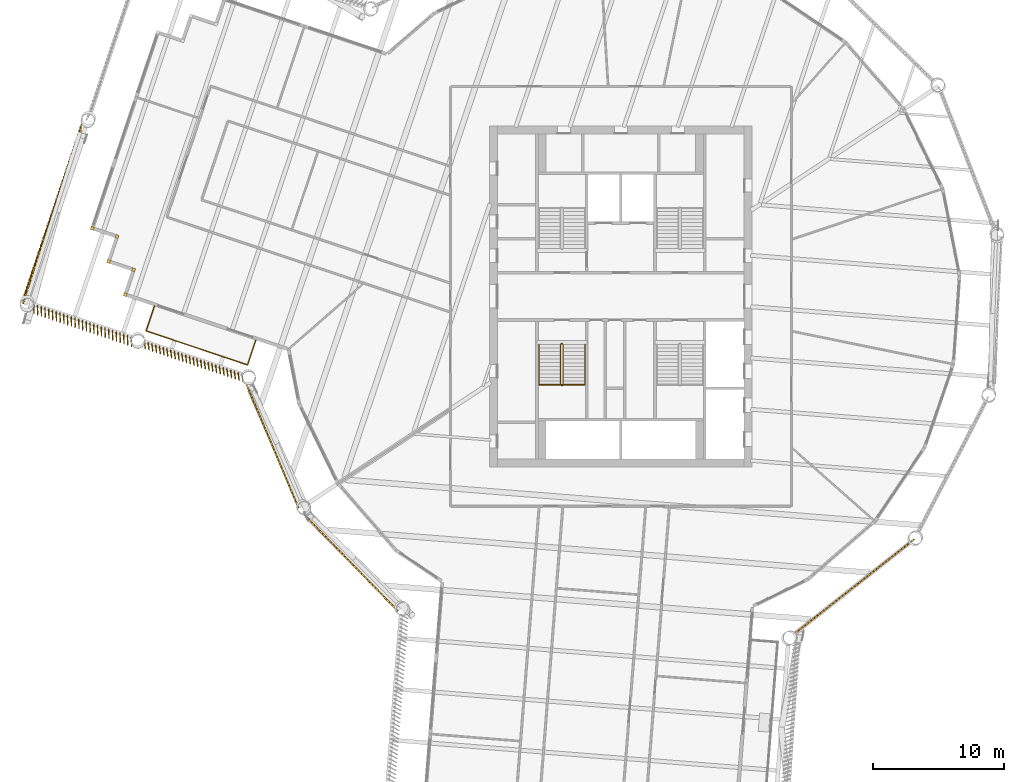
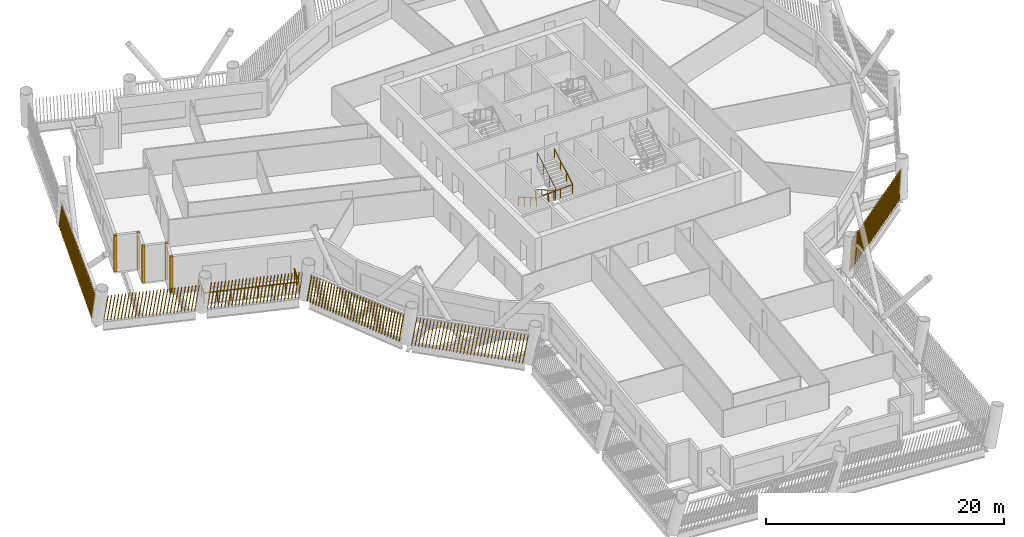
# One storey, part 18 of 21: 11 shading devices, 3 railings.
"""IFC4 building model written with IfcOpenShell, lengths in metres."""

from ifc_helpers import new_model, si_unit, direction, frame, frame_2d, origin, origin_2d, place, context, subcontext, project, spatial, rectangle, circle, composite_profile, extrude, material, type_object, element, save


model = new_model("IFC4")

# Units and contexts
model_context = context("Model", 3, precision=1e-05, world=origin(), true_north=direction((0.0, 1.0)))
body_context = subcontext(model_context, "Body", "Model", "MODEL_VIEW")
ifc_project = project(units=[si_unit("LENGTHUNIT", "METRE"), si_unit("AREAUNIT", "SQUARE_METRE"), si_unit("VOLUMEUNIT", "CUBIC_METRE"), si_unit("PLANEANGLEUNIT", "RADIAN"), si_unit("MASSUNIT", "GRAM", prefix="KILO")], contexts=[model_context])

# Site, building, storey
site_placement = place(None, origin())
site = spatial("IfcSite", under=ifc_project, at=site_placement, CompositionType="ELEMENT")
building_placement = place(site_placement, origin())
building = spatial("IfcBuilding", under=site, at=building_placement, Name="Tarsis Ring Headquarters", CompositionType="ELEMENT")
storey_placement = place(building_placement, frame((0.0, 0.0, 208.199951171875)))
storey = spatial("IfcBuildingStorey", under=building, at=storey_placement, Name="L48", CompositionType="ELEMENT", Elevation=208.199951171875)

# Railings
ifc_material_1 = material(Name="Stainless steel guard", Category="steel")
railing_type_1 = type_object("IfcRailingType", Name="Balcony balustrade with mesh infill 1100", PredefinedType="BALUSTRADE", material=ifc_material_1)
railing_1_placement = place(storey_placement, frame((-35.57666015625, -0.73779296875, 0.0)))
element("IfcRailing", 1, at=railing_1_placement, inside=storey, type_object=railing_type_1, Name="Balcony balustrade L48-01", PredefinedType="BALUSTRADE", context=body_context, shape_type="SweptSolid", body=[
    extrude(circle(Radius=0.030029296875, at=origin_2d()), frame((0.0, 0.0, 1.070068359375), z_axis=(-0.317618992501, -0.948218421885, 0.0), x_axis=(0.948218421885, -0.317618992501, 0.0)), (0.0, 0.0, 1.0), 2.0),
    extrude(circle(Radius=0.030029296875, at=origin_2d()), frame((-0.63525390625, -1.896484375, 1.070068359375), z_axis=(0.948213211756, -0.317634546375, 0.0), x_axis=(0.317634546375, 0.948213211756, 0.0)), (0.0, 0.0, 1.0), 8.171875),
    extrude(circle(Radius=0.030029296875, at=origin_2d()), frame((7.113525390625, -4.4921875, 1.070068359375), z_axis=(0.317618992501, 0.948218421885, 0.0), x_axis=(-0.948218421885, 0.317618992501, 0.0)), (0.0, 0.0, 1.0), 2.0),
    extrude(circle(Radius=0.02490234375, at=origin_2d()), origin(), (0.0, 0.0, 1.0), 1.0400390625),
    extrude(circle(Radius=0.02490234375, at=origin_2d()), frame((-0.317626953125, -0.9482421875, 0.0)), (0.0, 0.0, 1.0), 1.0400390625),
    extrude(circle(Radius=0.02490234375, at=origin_2d()), frame((-0.63525390625, -1.896484375, 0.0)), (0.0, 0.0, 1.0), 1.0400390625),
    extrude(circle(Radius=0.02490234375, at=origin_2d()), frame((0.4716796875, -2.267333984375, 0.0)), (0.0, 0.0, 1.0), 1.0400390625),
    extrude(circle(Radius=0.02490234375, at=origin_2d()), frame((1.57861328125, -2.63818359375, 0.0)), (0.0, 0.0, 1.0), 1.0400390625),
    extrude(circle(Radius=0.02490234375, at=origin_2d()), frame((2.685546875, -3.009033203125, 0.0)), (0.0, 0.0, 1.0), 1.0400390625),
    extrude(circle(Radius=0.02490234375, at=origin_2d()), frame((3.792724609375, -3.379638671875, 0.0)), (0.0, 0.0, 1.0), 1.0400390625),
    extrude(circle(Radius=0.02490234375, at=origin_2d()), frame((4.899658203125, -3.75048828125, 0.0)), (0.0, 0.0, 1.0), 1.0400390625),
    extrude(circle(Radius=0.02490234375, at=origin_2d()), frame((6.006591796875, -4.121337890625, 0.0)), (0.0, 0.0, 1.0), 1.0400390625),
    extrude(circle(Radius=0.02490234375, at=origin_2d()), frame((7.113525390625, -4.4921875, 0.0)), (0.0, 0.0, 1.0), 1.0400390625),
    extrude(circle(Radius=0.02490234375, at=origin_2d()), frame((7.43115234375, -3.5439453125, 0.0)), (0.0, 0.0, 1.0), 1.0400390625),
    extrude(circle(Radius=0.02490234375, at=origin_2d()), frame((7.748779296875, -2.595703125, 0.0)), (0.0, 0.0, 1.0), 1.0400390625),
])
ifc_material_2 = material(Name="Steel S355", Category="steel")
railing_type_2 = type_object("IfcRailingType", Name="Core stair guard 1100", PredefinedType="GUARDRAIL", material=ifc_material_2)
railing_2_placement = place(storey_placement, frame((-4.4599609375, -3.610107421875, 0.0)))
element("IfcRailing", 2, at=railing_2_placement, inside=storey, type_object=railing_type_2, Name="L48 ST3 stair guard 1", PredefinedType="GUARDRAIL", context=body_context, shape_type="SweptSolid", body=[
    extrude(circle(Radius=0.02392578125, at=origin_2d()), frame((0.0, 0.0, 1.076171875), z_axis=(-1.0, 0.0, 0.0), x_axis=(0.0, -1.0, 0.0)), (0.0, 0.0, 1.0), 0.080078125),
    extrude(circle(Radius=0.02392578125, at=origin_2d()), frame((-0.080078125, 0.0, 1.076171875), z_axis=(-0.282336740067, -0.280959487676, 0.917250092119), x_axis=(0.705375805398, -0.708833529934, 0.0)), (0.0, 0.0, 1.0), 0.17724609375),
    extrude(circle(Radius=0.02392578125, at=origin_2d()), frame((-0.130126953125, -0.0498046875, 1.23876953125), z_axis=(0.0, -0.864920483161, 0.501908913857), x_axis=(1.0, 0.0, 0.0)), (0.0, 0.0, 1.0), 3.56103515625),
    extrude(circle(Radius=0.02392578125, at=origin_2d()), frame((-0.130126953125, -3.1298828125, 3.02587890625), z_axis=(0.707106781187, -0.707106781187, 0.0), x_axis=(0.707106781187, 0.707106781187, 0.0)), (0.0, 0.0, 1.0), 0.07080078125),
    extrude(circle(Radius=0.02392578125, at=origin_2d()), frame((-0.080078125, -3.179931640625, 3.02587890625), z_axis=(1.0, 0.0, 0.0), x_axis=(0.0, 1.0, 0.0)), (0.0, 0.0, 1.0), 0.080078125),
    extrude(circle(Radius=0.02392578125, at=origin_2d()), frame((0.0, -3.179931640625, 3.02587890625), z_axis=(0.282227285176, 0.282227285176, 0.916894497205), x_axis=(-0.707106781187, 0.707106781187, 0.0)), (0.0, 0.0, 1.0), 0.17724609375),
    extrude(circle(Radius=0.02392578125, at=origin_2d()), frame((0.050048828125, -3.1298828125, 3.1884765625), z_axis=(0.0, 0.864890721111, 0.501960198159), x_axis=(-1.0, 0.0, 0.0)), (0.0, 0.0, 1.0), 3.561279296875),
    extrude(circle(Radius=0.02099609375, at=origin_2d()), origin(), (0.0, 0.0, 1.0), 1.052001953125),
    extrude(circle(Radius=0.02099609375, at=origin_2d()), frame((-0.080078125, 0.0, 0.0)), (0.0, 0.0, 1.0), 1.052001953125),
    extrude(circle(Radius=0.02099609375, at=origin_2d()), frame((-0.130126953125, -0.0498046875, 0.16259765625)), (0.0, 0.0, 1.0), 1.052001953125),
    extrude(circle(Radius=0.02099609375, at=origin_2d()), frame((-0.130126953125, -1.076416015625, 0.75830078125)), (0.0, 0.0, 1.0), 1.052001953125),
    extrude(circle(Radius=0.02099609375, at=origin_2d()), frame((-0.130126953125, -2.103271484375, 1.354248046875)), (0.0, 0.0, 1.0), 1.052001953125),
    extrude(circle(Radius=0.02099609375, at=origin_2d()), frame((-0.130126953125, -3.1298828125, 1.949951171875)), (0.0, 0.0, 1.0), 1.052001953125),
    extrude(circle(Radius=0.02099609375, at=origin_2d()), frame((-0.080078125, -3.179931640625, 1.949951171875)), (0.0, 0.0, 1.0), 1.052001953125),
    extrude(circle(Radius=0.02099609375, at=origin_2d()), frame((0.0, -3.179931640625, 1.949951171875)), (0.0, 0.0, 1.0), 1.052001953125),
    extrude(circle(Radius=0.02099609375, at=origin_2d()), frame((0.050048828125, -3.1298828125, 2.112548828125)), (0.0, 0.0, 1.0), 1.052001953125),
    extrude(circle(Radius=0.02099609375, at=origin_2d()), frame((0.050048828125, -2.103271484375, 2.70849609375)), (0.0, 0.0, 1.0), 1.052001953125),
    extrude(circle(Radius=0.02099609375, at=origin_2d()), frame((0.050048828125, -1.076416015625, 3.30419921875)), (0.0, 0.0, 1.0), 1.052001953125),
    extrude(circle(Radius=0.02099609375, at=origin_2d()), frame((0.050048828125, -0.0498046875, 3.900146484375)), (0.0, 0.0, 1.0), 1.052001953125),
])
railing_type_3 = type_object("IfcRailingType", Name="Core stair handrail 900", PredefinedType="HANDRAIL", material=ifc_material_2)
railing_3_placement = place(storey_placement, frame((-6.25, -3.659912109375, 0.16259765625)))
element("IfcRailing", 3, at=railing_3_placement, inside=storey, type_object=railing_type_3, Name="L48 ST3 stair handrail 1", PredefinedType="HANDRAIL", context=body_context, shape_type="SweptSolid", body=[
    extrude(circle(Radius=0.02392578125, at=origin_2d()), frame((0.0, 0.0, 0.8759765625), z_axis=(0.0, -0.864920483161, 0.501908913857), x_axis=(1.0, 0.0, 0.0)), (0.0, 0.0, 1.0), 3.56103515625),
    extrude(circle(Radius=0.02392578125, at=origin_2d()), frame((0.0, -3.080078125, 2.6630859375), z_axis=(0.998922641604, 0.0, 0.046406422943), x_axis=(0.0, 1.0, 0.0)), (0.0, 0.0, 1.0), 3.503662109375),
    extrude(circle(Radius=0.02392578125, at=origin_2d()), frame((3.5, -3.080078125, 2.82568359375), z_axis=(0.0, 0.864890721111, 0.501960198159), x_axis=(-1.0, 0.0, 0.0)), (0.0, 0.0, 1.0), 3.561279296875),
    extrude(circle(Radius=0.02099609375, at=origin_2d()), origin(), (0.0, 0.0, 1.0), 0.851806640625),
    extrude(circle(Radius=0.02099609375, at=origin_2d()), frame((0.0, -1.026611328125, 0.595703125)), (0.0, 0.0, 1.0), 0.851806640625),
    extrude(circle(Radius=0.02099609375, at=origin_2d()), frame((0.0, -2.053466796875, 1.191650390625)), (0.0, 0.0, 1.0), 0.851806640625),
    extrude(circle(Radius=0.02099609375, at=origin_2d()), frame((0.0, -3.080078125, 1.787353515625)), (0.0, 0.0, 1.0), 0.851806640625),
    extrude(circle(Radius=0.02099609375, at=origin_2d()), frame((1.166748046875, -3.080078125, 1.841552734375)), (0.0, 0.0, 1.0), 0.851806640625),
    extrude(circle(Radius=0.02099609375, at=origin_2d()), frame((2.333251953125, -3.080078125, 1.895751953125)), (0.0, 0.0, 1.0), 0.851806640625),
    extrude(circle(Radius=0.02099609375, at=origin_2d()), frame((3.5, -3.080078125, 1.949951171875)), (0.0, 0.0, 1.0), 0.851806640625),
    extrude(circle(Radius=0.02099609375, at=origin_2d()), frame((3.5, -2.053466796875, 2.5458984375)), (0.0, 0.0, 1.0), 0.851806640625),
    extrude(circle(Radius=0.02099609375, at=origin_2d()), frame((3.5, -1.026611328125, 3.1416015625)), (0.0, 0.0, 1.0), 0.851806640625),
    extrude(circle(Radius=0.02099609375, at=origin_2d()), frame((3.5, 0.0, 3.737548828125)), (0.0, 0.0, 1.0), 0.851806640625),
])

# Shading devices
ifc_material_3 = material(Name="Terracotta baguette", Category="masonry")
shading_device_type_1 = type_object("IfcShadingDeviceType", Name="Terracotta baguette screen", PredefinedType="USERDEFINED", material=ifc_material_3)
shading_device_1_placement = place(storey_placement, frame((-24.1494140625, -16.64453125, 0.0), z_axis=(0.0, 0.0, 1.0), x_axis=(0.696739537789, -0.717326670831, 0.0)))
element("IfcShadingDevice", 4, at=shading_device_1_placement, inside=storey, type_object=shading_device_type_1, Name="Baguette screen L48-00", ObjectType="Terracotta baguette screen", PredefinedType="USERDEFINED", context=body_context, shape_type="SweptSolid", body=[
    extrude(composite_profile([rectangle(XDim=0.06005859375, YDim=0.1201171875, at=frame_2d((0.030029296875, 0.0))), rectangle(XDim=0.06005859375, YDim=0.1201171875, at=frame_2d((0.33349609375, 0.0))), rectangle(XDim=0.06005859375, YDim=0.1201171875, at=frame_2d((0.636962890625, 0.0))), rectangle(XDim=0.06005859375, YDim=0.1201171875, at=frame_2d((0.9404296875, 0.0))), rectangle(XDim=0.06005859375, YDim=0.1201171875, at=frame_2d((1.243896484375, 0.0))), rectangle(XDim=0.06005859375, YDim=0.1201171875, at=frame_2d((1.54736328125, 0.0))), rectangle(XDim=0.06005859375, YDim=0.1201171875, at=frame_2d((1.85107421875, 0.0))), rectangle(XDim=0.06005859375, YDim=0.1201171875, at=frame_2d((2.154541015625, 0.0))), rectangle(XDim=0.06005859375, YDim=0.1201171875, at=frame_2d((2.4580078125, 0.0))), rectangle(XDim=0.06005859375, YDim=0.1201171875, at=frame_2d((2.761474609375, 0.0))), rectangle(XDim=0.06005859375, YDim=0.1201171875, at=frame_2d((3.06494140625, 0.0))), rectangle(XDim=0.06005859375, YDim=0.1201171875, at=frame_2d((3.368408203125, 0.0))), rectangle(XDim=0.06005859375, YDim=0.1201171875, at=frame_2d((3.671875, 0.0))), rectangle(XDim=0.06005859375, YDim=0.1201171875, at=frame_2d((3.975341796875, 0.0))), rectangle(XDim=0.06005859375, YDim=0.1201171875, at=frame_2d((4.27880859375, 0.0))), rectangle(XDim=0.06005859375, YDim=0.1201171875, at=frame_2d((4.582275390625, 0.0))), rectangle(XDim=0.06005859375, YDim=0.1201171875, at=frame_2d((4.8857421875, 0.0))), rectangle(XDim=0.06005859375, YDim=0.1201171875, at=frame_2d((5.189453125, 0.0))), rectangle(XDim=0.06005859375, YDim=0.1201171875, at=frame_2d((5.492919921875, 0.0))), rectangle(XDim=0.06005859375, YDim=0.1201171875, at=frame_2d((5.79638671875, 0.0))), rectangle(XDim=0.06005859375, YDim=0.1201171875, at=frame_2d((6.099853515625, 0.0))), rectangle(XDim=0.06005859375, YDim=0.1201171875, at=frame_2d((6.4033203125, 0.0))), rectangle(XDim=0.06005859375, YDim=0.1201171875, at=frame_2d((6.706787109375, 0.0))), rectangle(XDim=0.06005859375, YDim=0.1201171875, at=frame_2d((7.01025390625, 0.0))), rectangle(XDim=0.06005859375, YDim=0.1201171875, at=frame_2d((7.313720703125, 0.0))), rectangle(XDim=0.06005859375, YDim=0.1201171875, at=frame_2d((7.6171875, 0.0))), rectangle(XDim=0.06005859375, YDim=0.1201171875, at=frame_2d((7.920654296875, 0.0))), rectangle(XDim=0.06005859375, YDim=0.1201171875, at=frame_2d((8.224365234375, 0.0))), rectangle(XDim=0.06005859375, YDim=0.1201171875, at=frame_2d((8.52783203125, 0.0))), rectangle(XDim=0.06005859375, YDim=0.1201171875, at=frame_2d((8.831298828125, 0.0))), rectangle(XDim=0.06005859375, YDim=0.1201171875, at=frame_2d((9.134765625, 0.0))), rectangle(XDim=0.06005859375, YDim=0.1201171875, at=frame_2d((9.438232421875, 0.0))), rectangle(XDim=0.06005859375, YDim=0.1201171875, at=frame_2d((9.74169921875, 0.0)))]), origin(), (0.162080022021, 0.00135527248, 0.986776686844), 2.989501953125),
])
shading_device_2_placement = place(storey_placement, frame((13.1767578125, -25.7744140625, 0.0), z_axis=(0.0, 0.0, 1.0), x_axis=(0.784981009224, 0.619533369506, 0.0)))
element("IfcShadingDevice", 5, at=shading_device_2_placement, inside=storey, type_object=shading_device_type_1, Name="Baguette screen L48-07", ObjectType="Terracotta baguette screen", PredefinedType="USERDEFINED", context=body_context, shape_type="SweptSolid", body=[
    extrude(composite_profile([rectangle(XDim=0.06005859375, YDim=0.1201171875, at=frame_2d((0.030029296875, 0.0))), rectangle(XDim=0.06005859375, YDim=0.1201171875, at=frame_2d((0.33251953125, 0.0))), rectangle(XDim=0.06005859375, YDim=0.1201171875, at=frame_2d((0.634765625, 0.0))), rectangle(XDim=0.06005859375, YDim=0.1201171875, at=frame_2d((0.937255859375, 0.0))), rectangle(XDim=0.06005859375, YDim=0.1201171875, at=frame_2d((1.239501953125, 0.0))), rectangle(XDim=0.06005859375, YDim=0.1201171875, at=frame_2d((1.5419921875, 0.0))), rectangle(XDim=0.06005859375, YDim=0.1201171875, at=frame_2d((1.844482421875, 0.0))), rectangle(XDim=0.06005859375, YDim=0.1201171875, at=frame_2d((2.146728515625, 0.0))), rectangle(XDim=0.06005859375, YDim=0.1201171875, at=frame_2d((2.44921875, 0.0))), rectangle(XDim=0.06005859375, YDim=0.1201171875, at=frame_2d((2.751708984375, 0.0))), rectangle(XDim=0.06005859375, YDim=0.1201171875, at=frame_2d((3.053955078125, 0.0))), rectangle(XDim=0.06005859375, YDim=0.1201171875, at=frame_2d((3.3564453125, 0.0))), rectangle(XDim=0.06005859375, YDim=0.1201171875, at=frame_2d((3.65869140625, 0.0))), rectangle(XDim=0.06005859375, YDim=0.1201171875, at=frame_2d((3.961181640625, 0.0))), rectangle(XDim=0.06005859375, YDim=0.1201171875, at=frame_2d((4.263671875, 0.0))), rectangle(XDim=0.06005859375, YDim=0.1201171875, at=frame_2d((4.56591796875, 0.0))), rectangle(XDim=0.06005859375, YDim=0.1201171875, at=frame_2d((4.868408203125, 0.0))), rectangle(XDim=0.06005859375, YDim=0.1201171875, at=frame_2d((5.1708984375, 0.0))), rectangle(XDim=0.06005859375, YDim=0.1201171875, at=frame_2d((5.47314453125, 0.0))), rectangle(XDim=0.06005859375, YDim=0.1201171875, at=frame_2d((5.775634765625, 0.0))), rectangle(XDim=0.06005859375, YDim=0.1201171875, at=frame_2d((6.077880859375, 0.0))), rectangle(XDim=0.06005859375, YDim=0.1201171875, at=frame_2d((6.38037109375, 0.0))), rectangle(XDim=0.06005859375, YDim=0.1201171875, at=frame_2d((6.682861328125, 0.0))), rectangle(XDim=0.06005859375, YDim=0.1201171875, at=frame_2d((6.985107421875, 0.0))), rectangle(XDim=0.06005859375, YDim=0.1201171875, at=frame_2d((7.28759765625, 0.0))), rectangle(XDim=0.06005859375, YDim=0.1201171875, at=frame_2d((7.590087890625, 0.0))), rectangle(XDim=0.06005859375, YDim=0.1201171875, at=frame_2d((7.892333984375, 0.0))), rectangle(XDim=0.06005859375, YDim=0.1201171875, at=frame_2d((8.19482421875, 0.0))), rectangle(XDim=0.06005859375, YDim=0.1201171875, at=frame_2d((8.4970703125, 0.0))), rectangle(XDim=0.06005859375, YDim=0.1201171875, at=frame_2d((8.799560546875, 0.0))), rectangle(XDim=0.06005859375, YDim=0.1201171875, at=frame_2d((9.10205078125, 0.0))), rectangle(XDim=0.06005859375, YDim=0.1201171875, at=frame_2d((9.404296875, 0.0))), rectangle(XDim=0.06005859375, YDim=0.1201171875, at=frame_2d((9.706787109375, 0.0))), rectangle(XDim=0.06005859375, YDim=0.1201171875, at=frame_2d((10.00927734375, 0.0))), rectangle(XDim=0.06005859375, YDim=0.1201171875, at=frame_2d((10.3115234375, 0.0))), rectangle(XDim=0.06005859375, YDim=0.1201171875, at=frame_2d((10.614013671875, 0.0))), rectangle(XDim=0.06005859375, YDim=0.1201171875, at=frame_2d((10.916259765625, 0.0))), rectangle(XDim=0.06005859375, YDim=0.1201171875, at=frame_2d((11.21875, 0.0)))]), origin(), (0.159217482206, 0.001333164484, 0.987242632807), 2.988037109375),
])
shading_device_3_placement = place(storey_placement, frame((-41.097900390625, 13.23974609375, 0.0), z_axis=(0.0, 0.0, 1.0), x_axis=(-0.317634986908, -0.948216686717, 0.0)))
element("IfcShadingDevice", 6, at=shading_device_3_placement, inside=storey, type_object=shading_device_type_1, Name="Baguette screen L48-18", ObjectType="Terracotta baguette screen", PredefinedType="USERDEFINED", context=body_context, shape_type="SweptSolid", body=[
    extrude(composite_profile([rectangle(XDim=0.06005859375, YDim=0.1201171875, at=frame_2d((0.030029296875, 0.0))), rectangle(XDim=0.06005859375, YDim=0.1201171875, at=frame_2d((0.33544921875, 0.0))), rectangle(XDim=0.06005859375, YDim=0.1201171875, at=frame_2d((0.640625, 0.0))), rectangle(XDim=0.06005859375, YDim=0.1201171875, at=frame_2d((0.946044921875, 0.0))), rectangle(XDim=0.06005859375, YDim=0.1201171875, at=frame_2d((1.25146484375, 0.0))), rectangle(XDim=0.06005859375, YDim=0.1201171875, at=frame_2d((1.556640625, 0.0))), rectangle(XDim=0.06005859375, YDim=0.1201171875, at=frame_2d((1.862060546875, 0.0))), rectangle(XDim=0.06005859375, YDim=0.1201171875, at=frame_2d((2.16748046875, 0.0))), rectangle(XDim=0.06005859375, YDim=0.1201171875, at=frame_2d((2.47265625, 0.0))), rectangle(XDim=0.06005859375, YDim=0.1201171875, at=frame_2d((2.778076171875, 0.0))), rectangle(XDim=0.06005859375, YDim=0.1201171875, at=frame_2d((3.08349609375, 0.0))), rectangle(XDim=0.06005859375, YDim=0.1201171875, at=frame_2d((3.388671875, 0.0))), rectangle(XDim=0.06005859375, YDim=0.1201171875, at=frame_2d((3.694091796875, 0.0))), rectangle(XDim=0.06005859375, YDim=0.1201171875, at=frame_2d((3.99951171875, 0.0))), rectangle(XDim=0.06005859375, YDim=0.1201171875, at=frame_2d((4.3046875, 0.0))), rectangle(XDim=0.06005859375, YDim=0.1201171875, at=frame_2d((4.610107421875, 0.0))), rectangle(XDim=0.06005859375, YDim=0.1201171875, at=frame_2d((4.91552734375, 0.0))), rectangle(XDim=0.06005859375, YDim=0.1201171875, at=frame_2d((5.220703125, 0.0))), rectangle(XDim=0.06005859375, YDim=0.1201171875, at=frame_2d((5.526123046875, 0.0))), rectangle(XDim=0.06005859375, YDim=0.1201171875, at=frame_2d((5.83154296875, 0.0))), rectangle(XDim=0.06005859375, YDim=0.1201171875, at=frame_2d((6.13671875, 0.0))), rectangle(XDim=0.06005859375, YDim=0.1201171875, at=frame_2d((6.442138671875, 0.0))), rectangle(XDim=0.06005859375, YDim=0.1201171875, at=frame_2d((6.74755859375, 0.0))), rectangle(XDim=0.06005859375, YDim=0.1201171875, at=frame_2d((7.052734375, 0.0))), rectangle(XDim=0.06005859375, YDim=0.1201171875, at=frame_2d((7.358154296875, 0.0))), rectangle(XDim=0.06005859375, YDim=0.1201171875, at=frame_2d((7.66357421875, 0.0))), rectangle(XDim=0.06005859375, YDim=0.1201171875, at=frame_2d((7.96875, 0.0))), rectangle(XDim=0.06005859375, YDim=0.1201171875, at=frame_2d((8.274169921875, 0.0))), rectangle(XDim=0.06005859375, YDim=0.1201171875, at=frame_2d((8.57958984375, 0.0))), rectangle(XDim=0.06005859375, YDim=0.1201171875, at=frame_2d((8.884765625, 0.0))), rectangle(XDim=0.06005859375, YDim=0.1201171875, at=frame_2d((9.190185546875, 0.0))), rectangle(XDim=0.06005859375, YDim=0.1201171875, at=frame_2d((9.49560546875, 0.0))), rectangle(XDim=0.06005859375, YDim=0.1201171875, at=frame_2d((9.80078125, 0.0))), rectangle(XDim=0.06005859375, YDim=0.1201171875, at=frame_2d((10.106201171875, 0.0))), rectangle(XDim=0.06005859375, YDim=0.1201171875, at=frame_2d((10.41162109375, 0.0))), rectangle(XDim=0.06005859375, YDim=0.1201171875, at=frame_2d((10.716796875, 0.0))), rectangle(XDim=0.06005859375, YDim=0.1201171875, at=frame_2d((11.022216796875, 0.0))), rectangle(XDim=0.06005859375, YDim=0.1201171875, at=frame_2d((11.32763671875, 0.0))), rectangle(XDim=0.06005859375, YDim=0.1201171875, at=frame_2d((11.6328125, 0.0))), rectangle(XDim=0.06005859375, YDim=0.1201171875, at=frame_2d((11.938232421875, 0.0))), rectangle(XDim=0.06005859375, YDim=0.1201171875, at=frame_2d((12.24365234375, 0.0))), rectangle(XDim=0.06005859375, YDim=0.1201171875, at=frame_2d((12.548828125, 0.0))), rectangle(XDim=0.06005859375, YDim=0.1201171875, at=frame_2d((12.854248046875, 0.0))), rectangle(XDim=0.06005859375, YDim=0.1201171875, at=frame_2d((13.15966796875, 0.0))), rectangle(XDim=0.06005859375, YDim=0.1201171875, at=frame_2d((13.46484375, 0.0))), rectangle(XDim=0.06005859375, YDim=0.1201171875, at=frame_2d((13.770263671875, 0.0)))]), origin(), (0.237619008342, 0.042778559467, 0.970415994162), 3.039794921875),
])
shading_device_4_placement = place(storey_placement, frame((-44.810302734375, -0.59765625, 0.0), z_axis=(0.0, 0.0, 1.0), x_axis=(0.948218864893, -0.317638335342, 0.0)))
element("IfcShadingDevice", 7, at=shading_device_4_placement, inside=storey, type_object=shading_device_type_1, Name="Baguette screen L48-19", ObjectType="Terracotta baguette screen", PredefinedType="USERDEFINED", context=body_context, shape_type="SweptSolid", body=[
    extrude(composite_profile([rectangle(XDim=0.06005859375, YDim=0.1201171875, at=frame_2d((0.030029296875, 0.0))), rectangle(XDim=0.06005859375, YDim=0.1201171875, at=frame_2d((0.33154296875, 0.0))), rectangle(XDim=0.06005859375, YDim=0.1201171875, at=frame_2d((0.63330078125, 0.0))), rectangle(XDim=0.06005859375, YDim=0.1201171875, at=frame_2d((0.934814453125, 0.0))), rectangle(XDim=0.06005859375, YDim=0.1201171875, at=frame_2d((1.236572265625, 0.0))), rectangle(XDim=0.06005859375, YDim=0.1201171875, at=frame_2d((1.5380859375, 0.0))), rectangle(XDim=0.06005859375, YDim=0.1201171875, at=frame_2d((1.83984375, 0.0))), rectangle(XDim=0.06005859375, YDim=0.1201171875, at=frame_2d((2.141357421875, 0.0))), rectangle(XDim=0.06005859375, YDim=0.1201171875, at=frame_2d((2.443115234375, 0.0))), rectangle(XDim=0.06005859375, YDim=0.1201171875, at=frame_2d((2.74462890625, 0.0))), rectangle(XDim=0.06005859375, YDim=0.1201171875, at=frame_2d((3.04638671875, 0.0))), rectangle(XDim=0.06005859375, YDim=0.1201171875, at=frame_2d((3.347900390625, 0.0))), rectangle(XDim=0.06005859375, YDim=0.1201171875, at=frame_2d((3.649658203125, 0.0))), rectangle(XDim=0.06005859375, YDim=0.1201171875, at=frame_2d((3.951171875, 0.0))), rectangle(XDim=0.06005859375, YDim=0.1201171875, at=frame_2d((4.252685546875, 0.0))), rectangle(XDim=0.06005859375, YDim=0.1201171875, at=frame_2d((4.554443359375, 0.0))), rectangle(XDim=0.06005859375, YDim=0.1201171875, at=frame_2d((4.85595703125, 0.0))), rectangle(XDim=0.06005859375, YDim=0.1201171875, at=frame_2d((5.15771484375, 0.0))), rectangle(XDim=0.06005859375, YDim=0.1201171875, at=frame_2d((5.459228515625, 0.0))), rectangle(XDim=0.06005859375, YDim=0.1201171875, at=frame_2d((5.760986328125, 0.0))), rectangle(XDim=0.06005859375, YDim=0.1201171875, at=frame_2d((6.0625, 0.0))), rectangle(XDim=0.06005859375, YDim=0.1201171875, at=frame_2d((6.3642578125, 0.0))), rectangle(XDim=0.06005859375, YDim=0.1201171875, at=frame_2d((6.665771484375, 0.0))), rectangle(XDim=0.06005859375, YDim=0.1201171875, at=frame_2d((6.967529296875, 0.0))), rectangle(XDim=0.06005859375, YDim=0.1201171875, at=frame_2d((7.26904296875, 0.0))), rectangle(XDim=0.06005859375, YDim=0.1201171875, at=frame_2d((7.57080078125, 0.0))), rectangle(XDim=0.06005859375, YDim=0.1201171875, at=frame_2d((7.872314453125, 0.0)))]), origin(), (0.083633599255, -0.21141566477, 0.97381150012), 3.029296875),
])
shading_device_5_placement = place(storey_placement, frame((-36.369140625, -3.42529296875, 0.0), z_axis=(0.0, 0.0, 1.0), x_axis=(0.948218864893, -0.317638335342, 0.0)))
element("IfcShadingDevice", 8, at=shading_device_5_placement, inside=storey, type_object=shading_device_type_1, Name="Baguette screen L48-20", ObjectType="Terracotta baguette screen", PredefinedType="USERDEFINED", context=body_context, shape_type="SweptSolid", body=[
    extrude(composite_profile([rectangle(XDim=0.06005859375, YDim=0.1201171875, at=frame_2d((0.030029296875, 0.0))), rectangle(XDim=0.06005859375, YDim=0.1201171875, at=frame_2d((0.33154296875, 0.0))), rectangle(XDim=0.06005859375, YDim=0.1201171875, at=frame_2d((0.63330078125, 0.0))), rectangle(XDim=0.06005859375, YDim=0.1201171875, at=frame_2d((0.934814453125, 0.0))), rectangle(XDim=0.06005859375, YDim=0.1201171875, at=frame_2d((1.236572265625, 0.0))), rectangle(XDim=0.06005859375, YDim=0.1201171875, at=frame_2d((1.5380859375, 0.0))), rectangle(XDim=0.06005859375, YDim=0.1201171875, at=frame_2d((1.83984375, 0.0))), rectangle(XDim=0.06005859375, YDim=0.1201171875, at=frame_2d((2.141357421875, 0.0))), rectangle(XDim=0.06005859375, YDim=0.1201171875, at=frame_2d((2.443115234375, 0.0))), rectangle(XDim=0.06005859375, YDim=0.1201171875, at=frame_2d((2.74462890625, 0.0))), rectangle(XDim=0.06005859375, YDim=0.1201171875, at=frame_2d((3.04638671875, 0.0))), rectangle(XDim=0.06005859375, YDim=0.1201171875, at=frame_2d((3.347900390625, 0.0))), rectangle(XDim=0.06005859375, YDim=0.1201171875, at=frame_2d((3.649658203125, 0.0))), rectangle(XDim=0.06005859375, YDim=0.1201171875, at=frame_2d((3.951171875, 0.0))), rectangle(XDim=0.06005859375, YDim=0.1201171875, at=frame_2d((4.252685546875, 0.0))), rectangle(XDim=0.06005859375, YDim=0.1201171875, at=frame_2d((4.554443359375, 0.0))), rectangle(XDim=0.06005859375, YDim=0.1201171875, at=frame_2d((4.85595703125, 0.0))), rectangle(XDim=0.06005859375, YDim=0.1201171875, at=frame_2d((5.15771484375, 0.0))), rectangle(XDim=0.06005859375, YDim=0.1201171875, at=frame_2d((5.459228515625, 0.0))), rectangle(XDim=0.06005859375, YDim=0.1201171875, at=frame_2d((5.760986328125, 0.0))), rectangle(XDim=0.06005859375, YDim=0.1201171875, at=frame_2d((6.0625, 0.0))), rectangle(XDim=0.06005859375, YDim=0.1201171875, at=frame_2d((6.3642578125, 0.0))), rectangle(XDim=0.06005859375, YDim=0.1201171875, at=frame_2d((6.665771484375, 0.0))), rectangle(XDim=0.06005859375, YDim=0.1201171875, at=frame_2d((6.967529296875, 0.0))), rectangle(XDim=0.06005859375, YDim=0.1201171875, at=frame_2d((7.26904296875, 0.0))), rectangle(XDim=0.06005859375, YDim=0.1201171875, at=frame_2d((7.57080078125, 0.0))), rectangle(XDim=0.06005859375, YDim=0.1201171875, at=frame_2d((7.872314453125, 0.0)))]), origin(), (0.08400018355, -0.163697111549, 0.982927883842), 3.001220703125),
])
shading_device_6_placement = place(storey_placement, frame((-28.55419921875, -6.700439453125, 0.0), z_axis=(0.0, 0.0, 1.0), x_axis=(0.387467519488, -0.921896861883, 0.0)))
element("IfcShadingDevice", 9, at=shading_device_6_placement, inside=storey, type_object=shading_device_type_1, Name="Baguette screen L48-21", ObjectType="Terracotta baguette screen", PredefinedType="USERDEFINED", context=body_context, shape_type="SweptSolid", body=[
    extrude(composite_profile([rectangle(XDim=0.06005859375, YDim=0.1201171875, at=frame_2d((0.030029296875, 0.0))), rectangle(XDim=0.06005859375, YDim=0.1201171875, at=frame_2d((0.33349609375, 0.0))), rectangle(XDim=0.06005859375, YDim=0.1201171875, at=frame_2d((0.636962890625, 0.0))), rectangle(XDim=0.06005859375, YDim=0.1201171875, at=frame_2d((0.9404296875, 0.0))), rectangle(XDim=0.06005859375, YDim=0.1201171875, at=frame_2d((1.243896484375, 0.0))), rectangle(XDim=0.06005859375, YDim=0.1201171875, at=frame_2d((1.54736328125, 0.0))), rectangle(XDim=0.06005859375, YDim=0.1201171875, at=frame_2d((1.850830078125, 0.0))), rectangle(XDim=0.06005859375, YDim=0.1201171875, at=frame_2d((2.154296875, 0.0))), rectangle(XDim=0.06005859375, YDim=0.1201171875, at=frame_2d((2.4580078125, 0.0))), rectangle(XDim=0.06005859375, YDim=0.1201171875, at=frame_2d((2.761474609375, 0.0))), rectangle(XDim=0.06005859375, YDim=0.1201171875, at=frame_2d((3.06494140625, 0.0))), rectangle(XDim=0.06005859375, YDim=0.1201171875, at=frame_2d((3.368408203125, 0.0))), rectangle(XDim=0.06005859375, YDim=0.1201171875, at=frame_2d((3.671875, 0.0))), rectangle(XDim=0.06005859375, YDim=0.1201171875, at=frame_2d((3.975341796875, 0.0))), rectangle(XDim=0.06005859375, YDim=0.1201171875, at=frame_2d((4.27880859375, 0.0))), rectangle(XDim=0.06005859375, YDim=0.1201171875, at=frame_2d((4.582275390625, 0.0))), rectangle(XDim=0.06005859375, YDim=0.1201171875, at=frame_2d((4.8857421875, 0.0))), rectangle(XDim=0.06005859375, YDim=0.1201171875, at=frame_2d((5.189208984375, 0.0))), rectangle(XDim=0.06005859375, YDim=0.1201171875, at=frame_2d((5.49267578125, 0.0))), rectangle(XDim=0.06005859375, YDim=0.1201171875, at=frame_2d((5.796142578125, 0.0))), rectangle(XDim=0.06005859375, YDim=0.1201171875, at=frame_2d((6.099609375, 0.0))), rectangle(XDim=0.06005859375, YDim=0.1201171875, at=frame_2d((6.403076171875, 0.0))), rectangle(XDim=0.06005859375, YDim=0.1201171875, at=frame_2d((6.70654296875, 0.0))), rectangle(XDim=0.06005859375, YDim=0.1201171875, at=frame_2d((7.010009765625, 0.0))), rectangle(XDim=0.06005859375, YDim=0.1201171875, at=frame_2d((7.3134765625, 0.0))), rectangle(XDim=0.06005859375, YDim=0.1201171875, at=frame_2d((7.6171875, 0.0))), rectangle(XDim=0.06005859375, YDim=0.1201171875, at=frame_2d((7.920654296875, 0.0))), rectangle(XDim=0.06005859375, YDim=0.1201171875, at=frame_2d((8.22412109375, 0.0))), rectangle(XDim=0.06005859375, YDim=0.1201171875, at=frame_2d((8.527587890625, 0.0))), rectangle(XDim=0.06005859375, YDim=0.1201171875, at=frame_2d((8.8310546875, 0.0))), rectangle(XDim=0.06005859375, YDim=0.1201171875, at=frame_2d((9.134521484375, 0.0))), rectangle(XDim=0.06005859375, YDim=0.1201171875, at=frame_2d((9.43798828125, 0.0))), rectangle(XDim=0.06005859375, YDim=0.1201171875, at=frame_2d((9.741455078125, 0.0)))]), origin(), (0.162081417663, 0.001353200157, 0.98677646045), 2.989501953125),
])
shading_device_type_2 = type_object("IfcShadingDeviceType", Name="Terracotta corner baguette 250x250", PredefinedType="USERDEFINED", material=ifc_material_3)
for number, where, z_axis, x_axis, name in (
    (10, (-37.7890625, 0.13525390625, 0.0), (0.0, 0.0, 1.0), (-0.317635614822, -0.948212853845, 0.0), "Corner baguette L48-01"),
    (11, (-40.311279296875, 5.198486328125, 0.0), (0.0, 0.0, 1.0), (-0.317635697569, -0.948212826126, 0.0), "Corner baguette L48-37"),
    (12, (-38.4150390625, 4.563232421875, 0.0), (0.0, 0.0, 1.0), (0.948212903739, -0.317635465877, 0.0), "Corner baguette L48-38"),
    (13, (-39.05029296875, 2.666748046875, 0.0), (0.0, 0.0, 1.0), (-0.317635912712, -0.948212754057, 0.0), "Corner baguette L48-39"),
    (14, (-37.15380859375, 2.031494140625, 0.0), (0.0, 0.0, 1.0), (0.948212754057, -0.317635912712, 0.0), "Corner baguette L48-40"),
):
    element("IfcShadingDevice", number, at=place(storey_placement, frame(where, z_axis=z_axis, x_axis=x_axis)), inside=storey, type_object=shading_device_type_2, Name=name, ObjectType="Terracotta corner baguette", PredefinedType="USERDEFINED", context=body_context, shape_type="SweptSolid", body=[
        extrude(rectangle(XDim=0.25, YDim=0.25, at=origin_2d()), origin(), (0.0, 0.0, 1.0), 3.739990234375),
    ])

save(model, "model.ifc")
